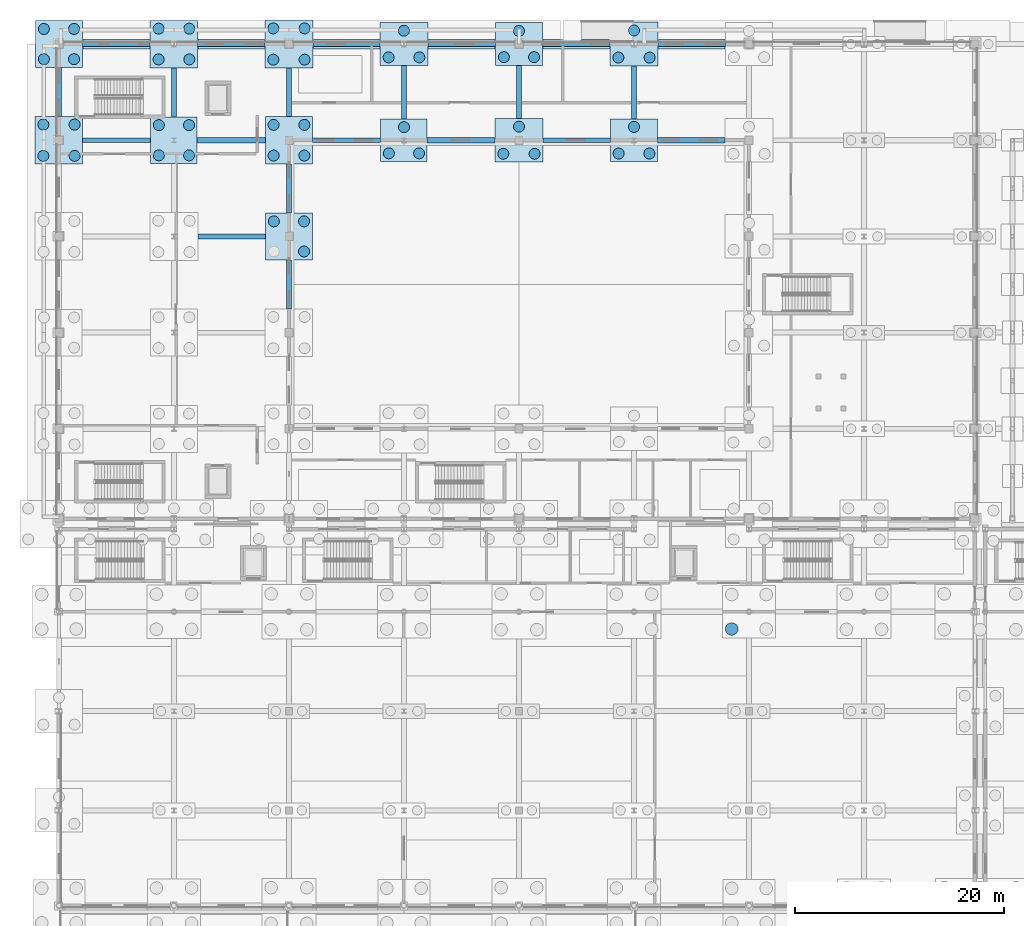
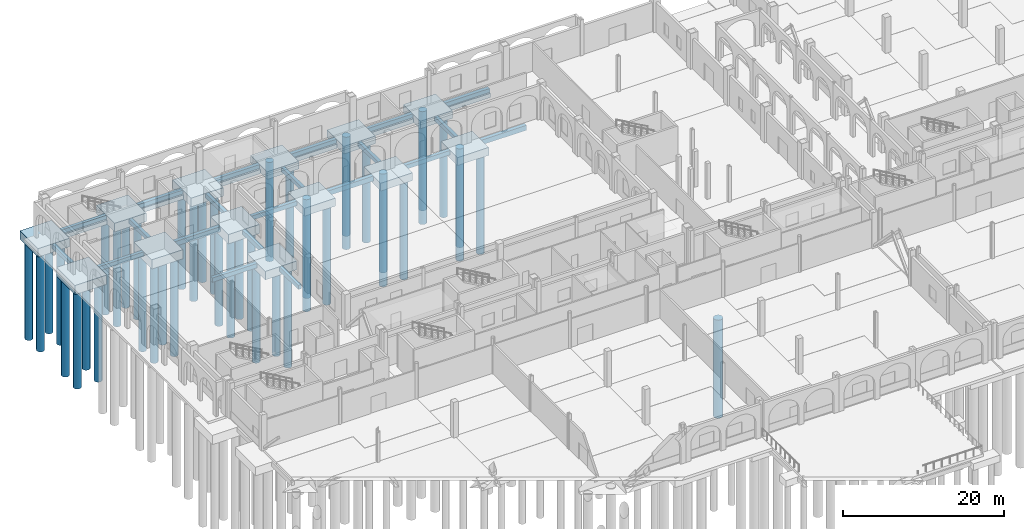
# One storey, part 6 of 83: 46 piles, 40 footings.
"""IFC4 building model written with IfcOpenShell, lengths in metres."""

from ifc_helpers import new_model, si_unit, direction, frame, origin, origin_2d, place, context, subcontext, project, spatial, polyline, circle, outline, extrude, material, material_profile, profile_set, type_object, element, save


model = new_model("IFC4")

# Units and contexts
model_context = context("Model", 3, precision=1e-05, world=origin(), true_north=direction((0.0, 1.0)))
body_context = subcontext(model_context, "Body", "Model", "MODEL_VIEW")
ifc_project = project(units=[si_unit("LENGTHUNIT", "METRE"), si_unit("AREAUNIT", "SQUARE_METRE"), si_unit("VOLUMEUNIT", "CUBIC_METRE"), si_unit("PLANEANGLEUNIT", "RADIAN"), si_unit("MASSUNIT", "GRAM", prefix="KILO")], contexts=[model_context])

# Site, building, storey
site_placement = place(None, origin())
site = spatial("IfcSite", under=ifc_project, at=site_placement, CompositionType="ELEMENT")
building_placement = place(site_placement, origin())
building = spatial("IfcBuilding", under=site, at=building_placement, Name="Caurita Quay Ferry Terminal", CompositionType="ELEMENT")
storey_placement = place(building_placement, origin())
storey = spatial("IfcBuildingStorey", under=building, at=storey_placement, Name="L00", CompositionType="ELEMENT", Elevation=0.0)

# Footings
ifc_material = material(Name="Marine reinforced concrete C40/50", Category="concrete")
footing_type_1 = type_object("IfcFootingType", Name="FTG-BM-01", PredefinedType="FOOTING_BEAM", material=ifc_material)
footing_1_placement = place(storey_placement, frame((0.0, 0.0, -1.14990234375)))
element("IfcFooting", 1, at=footing_1_placement, inside=storey, type_object=footing_type_1, Name="Seismic Tie Footing Beam FB-X-153", PredefinedType="FOOTING_BEAM", context=body_context, shape_type="SweptSolid", body=[
    extrude(outline(polyline([(13.22509765625, 107.550048828125), (19.75, 107.550048828125), (19.75, 108.050048828125), (13.22509765625, 108.050048828125), (13.22509765625, 107.550048828125)])), origin(), (0.0, 0.0, 1.0), 0.75),
])
footing_2_placement = place(storey_placement, frame((0.0, 0.0, -1.14990234375)))
element("IfcFooting", 2, at=footing_2_placement, inside=storey, type_object=footing_type_1, Name="Seismic Tie Footing Beam FB-X-155", PredefinedType="FOOTING_BEAM", context=body_context, shape_type="SweptSolid", body=[
    extrude(outline(polyline([(35.22509765625, 107.550048828125), (41.72509765625, 107.550048828125), (41.72509765625, 108.050048828125), (35.22509765625, 108.050048828125), (35.22509765625, 107.550048828125)])), origin(), (0.0, 0.0, 1.0), 0.75),
])
footing_3_placement = place(storey_placement, frame((0.0, 0.0, -1.14990234375)))
element("IfcFooting", 3, at=footing_3_placement, inside=storey, type_object=footing_type_1, Name="Seismic Tie Footing Beam FB-X-157", PredefinedType="FOOTING_BEAM", context=body_context, shape_type="SweptSolid", body=[
    extrude(outline(polyline([(57.25, 107.550048828125), (63.72509765625, 107.550048828125), (63.72509765625, 108.050048828125), (57.25, 108.050048828125), (57.25, 107.550048828125)])), origin(), (0.0, 0.0, 1.0), 0.75),
])
footing_4_placement = place(storey_placement, frame((0.0, 0.0, -1.14990234375)))
element("IfcFooting", 4, at=footing_4_placement, inside=storey, type_object=footing_type_1, Name="Seismic Tie Footing Beam FB-X-169", PredefinedType="FOOTING_BEAM", context=body_context, shape_type="SweptSolid", body=[
    extrude(outline(polyline([(13.27490234375, 116.75), (19.699951171875, 116.75), (19.699951171875, 117.25), (13.27490234375, 117.25), (13.27490234375, 116.75)])), origin(), (0.0, 0.0, 1.0), 0.75),
])
footing_5_placement = place(storey_placement, frame((0.0, 0.0, -1.14990234375)))
element("IfcFooting", 5, at=footing_5_placement, inside=storey, type_object=footing_type_1, Name="Seismic Tie Footing Beam FB-X-171", PredefinedType="FOOTING_BEAM", context=body_context, shape_type="SweptSolid", body=[
    extrude(outline(polyline([(35.27490234375, 116.75), (41.75, 116.75), (41.75, 117.25), (35.27490234375, 117.25), (35.27490234375, 116.75)])), origin(), (0.0, 0.0, 1.0), 0.75),
])
footing_6_placement = place(storey_placement, frame((0.0, 0.0, -1.14990234375)))
element("IfcFooting", 6, at=footing_6_placement, inside=storey, type_object=footing_type_1, Name="Seismic Tie Footing Beam FB-X-173", PredefinedType="FOOTING_BEAM", context=body_context, shape_type="SweptSolid", body=[
    extrude(outline(polyline([(57.300048828125, 116.75), (63.75, 116.75), (63.75, 117.25), (57.300048828125, 117.25), (57.300048828125, 116.75)])), origin(), (0.0, 0.0, 1.0), 0.75),
])
footing_type_2 = type_object("IfcFootingType", Name="FTG-BM-02", PredefinedType="FOOTING_BEAM", material=ifc_material)
footing_7_placement = place(storey_placement, frame((0.0, 0.0, -1.050048828125)))
element("IfcFooting", 7, at=footing_7_placement, inside=storey, type_object=footing_type_2, Name="Seismic Tie Footing Beam FB-X-140", PredefinedType="FOOTING_BEAM", context=body_context, shape_type="SweptSolid", body=[
    extrude(outline(polyline([(13.300048828125, 98.375), (19.75, 98.375), (19.75, 98.824951171875), (13.300048828125, 98.824951171875), (13.300048828125, 98.375)])), origin(), (0.0, 0.0, 1.0), 0.650146484375),
])
footing_8_placement = place(storey_placement, frame((0.0, 0.0, -1.050048828125)))
element("IfcFooting", 8, at=footing_8_placement, inside=storey, type_object=footing_type_2, Name="Seismic Tie Footing Beam FB-X-152", PredefinedType="FOOTING_BEAM", context=body_context, shape_type="SweptSolid", body=[
    extrude(outline(polyline([(2.27490234375, 107.574951171875), (8.77490234375, 107.574951171875), (8.77490234375, 108.02490234375), (2.27490234375, 108.02490234375), (2.27490234375, 107.574951171875)])), origin(), (0.0, 0.0, 1.0), 0.650146484375),
])
footing_9_placement = place(storey_placement, frame((0.0, 0.0, -1.050048828125)))
element("IfcFooting", 9, at=footing_9_placement, inside=storey, type_object=footing_type_2, Name="Seismic Tie Footing Beam FB-X-154", PredefinedType="FOOTING_BEAM", context=body_context, shape_type="SweptSolid", body=[
    extrude(outline(polyline([(24.25, 107.574951171875), (30.77490234375, 107.574951171875), (30.77490234375, 108.02490234375), (24.25, 108.02490234375), (24.25, 107.574951171875)])), origin(), (0.0, 0.0, 1.0), 0.650146484375),
])
footing_10_placement = place(storey_placement, frame((0.0, 0.0, -1.050048828125)))
element("IfcFooting", 10, at=footing_10_placement, inside=storey, type_object=footing_type_2, Name="Seismic Tie Footing Beam FB-X-156", PredefinedType="FOOTING_BEAM", context=body_context, shape_type="SweptSolid", body=[
    extrude(outline(polyline([(46.27490234375, 107.574951171875), (52.75, 107.574951171875), (52.75, 108.02490234375), (46.27490234375, 108.02490234375), (46.27490234375, 107.574951171875)])), origin(), (0.0, 0.0, 1.0), 0.650146484375),
])
footing_11_placement = place(storey_placement, frame((0.0, 0.0, -1.050048828125)))
element("IfcFooting", 11, at=footing_11_placement, inside=storey, type_object=footing_type_2, Name="Seismic Tie Footing Beam FB-X-168", PredefinedType="FOOTING_BEAM", context=body_context, shape_type="SweptSolid", body=[
    extrude(outline(polyline([(2.25, 116.77490234375), (8.72509765625, 116.77490234375), (8.72509765625, 117.22509765625), (2.25, 117.22509765625), (2.25, 116.77490234375)])), origin(), (0.0, 0.0, 1.0), 0.650146484375),
])
footing_12_placement = place(storey_placement, frame((0.0, 0.0, -1.050048828125)))
element("IfcFooting", 12, at=footing_12_placement, inside=storey, type_object=footing_type_2, Name="Seismic Tie Footing Beam FB-X-170", PredefinedType="FOOTING_BEAM", context=body_context, shape_type="SweptSolid", body=[
    extrude(outline(polyline([(24.300048828125, 116.77490234375), (30.72509765625, 116.77490234375), (30.72509765625, 117.22509765625), (24.300048828125, 117.22509765625), (24.300048828125, 116.77490234375)])), origin(), (0.0, 0.0, 1.0), 0.650146484375),
])
footing_13_placement = place(storey_placement, frame((0.0, 0.0, -1.050048828125)))
element("IfcFooting", 13, at=footing_13_placement, inside=storey, type_object=footing_type_2, Name="Seismic Tie Footing Beam FB-X-172", PredefinedType="FOOTING_BEAM", context=body_context, shape_type="SweptSolid", body=[
    extrude(outline(polyline([(46.25, 116.77490234375), (52.699951171875, 116.77490234375), (52.699951171875, 117.22509765625), (46.25, 117.22509765625), (46.25, 116.77490234375)])), origin(), (0.0, 0.0, 1.0), 0.650146484375),
])
footing_14_placement = place(storey_placement, frame((0.0, 0.0, -1.050048828125)))
element("IfcFooting", 14, at=footing_14_placement, inside=storey, type_object=footing_type_2, Name="Seismic Tie Footing Beam FB-Y-195", PredefinedType="FOOTING_BEAM", context=body_context, shape_type="SweptSolid", body=[
    extrude(outline(polyline([(-0.22509765625, 110.074951171875), (0.22509765625, 110.074951171875), (0.22509765625, 114.75), (-0.22509765625, 114.75), (-0.22509765625, 110.074951171875)])), origin(), (0.0, 0.0, 1.0), 0.650146484375),
])
footing_15_placement = place(storey_placement, frame((0.0, 0.0, -1.050048828125)))
element("IfcFooting", 15, at=footing_15_placement, inside=storey, type_object=footing_type_2, Name="Seismic Tie Footing Beam FB-Y-207", PredefinedType="FOOTING_BEAM", context=body_context, shape_type="SweptSolid", body=[
    extrude(outline(polyline([(10.77490234375, 110.02490234375), (11.22509765625, 110.02490234375), (11.22509765625, 114.72509765625), (10.77490234375, 114.72509765625), (10.77490234375, 110.02490234375)])), origin(), (0.0, 0.0, 1.0), 0.650146484375),
])
footing_16_placement = place(storey_placement, frame((0.0, 0.0, -1.050048828125)))
element("IfcFooting", 16, at=footing_16_placement, inside=storey, type_object=footing_type_2, Name="Seismic Tie Footing Beam FB-Y-217", PredefinedType="FOOTING_BEAM", context=body_context, shape_type="SweptSolid", body=[
    extrude(outline(polyline([(21.77490234375, 91.675048828125), (22.22509765625, 91.675048828125), (22.22509765625, 96.35009765625), (21.77490234375, 96.35009765625), (21.77490234375, 91.675048828125)])), origin(), (0.0, 0.0, 1.0), 0.650146484375),
])
footing_17_placement = place(storey_placement, frame((0.0, 0.0, -1.050048828125)))
element("IfcFooting", 17, at=footing_17_placement, inside=storey, type_object=footing_type_2, Name="Seismic Tie Footing Beam FB-Y-218", PredefinedType="FOOTING_BEAM", context=body_context, shape_type="SweptSolid", body=[
    extrude(outline(polyline([(21.77490234375, 100.85009765625), (22.22509765625, 100.85009765625), (22.22509765625, 105.550048828125), (21.77490234375, 105.550048828125), (21.77490234375, 100.85009765625)])), origin(), (0.0, 0.0, 1.0), 0.650146484375),
])
footing_18_placement = place(storey_placement, frame((0.0, 0.0, -1.050048828125)))
element("IfcFooting", 18, at=footing_18_placement, inside=storey, type_object=footing_type_2, Name="Seismic Tie Footing Beam FB-Y-219", PredefinedType="FOOTING_BEAM", context=body_context, shape_type="SweptSolid", body=[
    extrude(outline(polyline([(21.77490234375, 110.050048828125), (22.22509765625, 110.050048828125), (22.22509765625, 114.699951171875), (21.77490234375, 114.699951171875), (21.77490234375, 110.050048828125)])), origin(), (0.0, 0.0, 1.0), 0.650146484375),
])
footing_19_placement = place(storey_placement, frame((0.0, 0.0, -1.050048828125)))
element("IfcFooting", 19, at=footing_19_placement, inside=storey, type_object=footing_type_2, Name="Seismic Tie Footing Beam FB-Y-225", PredefinedType="FOOTING_BEAM", context=body_context, shape_type="SweptSolid", body=[
    extrude(outline(polyline([(32.77490234375, 109.85009765625), (33.22509765625, 109.85009765625), (33.22509765625, 114.925048828125), (32.77490234375, 114.925048828125), (32.77490234375, 109.85009765625)])), origin(), (0.0, 0.0, 1.0), 0.650146484375),
])
footing_20_placement = place(storey_placement, frame((0.0, 0.0, -1.050048828125)))
element("IfcFooting", 20, at=footing_20_placement, inside=storey, type_object=footing_type_2, Name="Seismic Tie Footing Beam FB-Y-231", PredefinedType="FOOTING_BEAM", context=body_context, shape_type="SweptSolid", body=[
    extrude(outline(polyline([(43.77490234375, 109.875), (44.22509765625, 109.875), (44.22509765625, 114.925048828125), (43.77490234375, 114.925048828125), (43.77490234375, 109.875)])), origin(), (0.0, 0.0, 1.0), 0.650146484375),
])
footing_21_placement = place(storey_placement, frame((0.0, 0.0, -1.050048828125)))
element("IfcFooting", 21, at=footing_21_placement, inside=storey, type_object=footing_type_2, Name="Seismic Tie Footing Beam FB-Y-239", PredefinedType="FOOTING_BEAM", context=body_context, shape_type="SweptSolid", body=[
    extrude(outline(polyline([(54.77490234375, 109.85009765625), (55.22509765625, 109.85009765625), (55.22509765625, 114.89990234375), (54.77490234375, 114.89990234375), (54.77490234375, 109.85009765625)])), origin(), (0.0, 0.0, 1.0), 0.650146484375),
])
footing_type_3 = type_object("IfcFootingType", Name="FTG-PC-02", PredefinedType="PILE_CAP", material=ifc_material)
footing_22_placement = place(storey_placement, frame((0.0, 0.0, -1.550048828125)))
element("IfcFooting", 22, at=footing_22_placement, inside=storey, type_object=footing_type_3, Name="Pile Cap PC-038", PredefinedType="PILE_CAP", context=body_context, shape_type="SweptSolid", body=[
    extrude(outline(polyline([(30.72509765625, 114.925048828125), (35.27490234375, 114.925048828125), (35.27490234375, 119.074951171875), (30.72509765625, 119.074951171875), (30.72509765625, 114.925048828125)])), origin(), (0.0, 0.0, 1.0), 1.150146484375),
])
footing_type_4 = type_object("IfcFootingType", Name="FTG-PC-03", PredefinedType="PILE_CAP", material=ifc_material)
footing_23_placement = place(storey_placement, frame((0.0, 0.0, -1.60009765625)))
element("IfcFooting", 23, at=footing_23_placement, inside=storey, type_object=footing_type_4, Name="Pile Cap PC-045", PredefinedType="PILE_CAP", context=body_context, shape_type="SweptSolid", body=[
    extrude(outline(polyline([(41.72509765625, 105.72509765625), (46.27490234375, 105.72509765625), (46.27490234375, 109.875), (41.72509765625, 109.875), (41.72509765625, 105.72509765625)])), origin(), (0.0, 0.0, 1.0), 1.2001953125),
])
footing_type_5 = type_object("IfcFootingType", Name="FTG-PC-06", PredefinedType="PILE_CAP", material=ifc_material)
footing_24_placement = place(storey_placement, frame((0.0, 0.0, -1.699951171875)))
element("IfcFooting", 24, at=footing_24_placement, inside=storey, type_object=footing_type_5, Name="Pile Cap PC-030", PredefinedType="PILE_CAP", context=body_context, shape_type="SweptSolid", body=[
    extrude(outline(polyline([(19.699951171875, 114.699951171875), (24.300048828125, 114.699951171875), (24.300048828125, 119.300048828125), (19.699951171875, 119.300048828125), (19.699951171875, 114.699951171875)])), origin(), (0.0, 0.0, 1.0), 1.300048828125),
])
footing_type_6 = type_object("IfcFootingType", Name="FTG-PC-07", PredefinedType="PILE_CAP", material=ifc_material)
footing_25_placement = place(storey_placement, frame((0.0, 0.0, -1.800048828125)))
element("IfcFooting", 25, at=footing_25_placement, inside=storey, type_object=footing_type_6, Name="Pile Cap PC-019", PredefinedType="PILE_CAP", context=body_context, shape_type="SweptSolid", body=[
    extrude(outline(polyline([(8.77490234375, 105.574951171875), (13.22509765625, 105.574951171875), (13.22509765625, 110.02490234375), (8.77490234375, 110.02490234375), (8.77490234375, 105.574951171875)])), origin(), (0.0, 0.0, 1.0), 1.400146484375),
])
footing_type_7 = type_object("IfcFootingType", Name="FTG-PC-08", PredefinedType="PILE_CAP", material=ifc_material)
footing_26_placement = place(storey_placement, frame((0.0, 0.0, -1.699951171875)))
element("IfcFooting", 26, at=footing_26_placement, inside=storey, type_object=footing_type_7, Name="Pile Cap PC-020", PredefinedType="PILE_CAP", context=body_context, shape_type="SweptSolid", body=[
    extrude(outline(polyline([(8.72509765625, 114.72509765625), (13.27490234375, 114.72509765625), (13.27490234375, 119.27490234375), (8.72509765625, 119.27490234375), (8.72509765625, 114.72509765625)])), origin(), (0.0, 0.0, 1.0), 1.300048828125),
])
footing_type_8 = type_object("IfcFootingType", Name="FTG-PC-09", PredefinedType="PILE_CAP", material=ifc_material)
footing_27_placement = place(storey_placement, frame((0.0, 0.0, -1.800048828125)))
element("IfcFooting", 27, at=footing_27_placement, inside=storey, type_object=footing_type_8, Name="Pile Cap PC-009", PredefinedType="PILE_CAP", context=body_context, shape_type="SweptSolid", body=[
    extrude(outline(polyline([(-2.27490234375, 105.52490234375), (2.27490234375, 105.52490234375), (2.27490234375, 110.074951171875), (-2.27490234375, 110.074951171875), (-2.27490234375, 105.52490234375)])), origin(), (0.0, 0.0, 1.0), 1.400146484375),
])
footing_type_9 = type_object("IfcFootingType", Name="FTG-PC-10", PredefinedType="PILE_CAP", material=ifc_material)
footing_28_placement = place(storey_placement, frame((0.0, 0.0, -1.699951171875)))
element("IfcFooting", 28, at=footing_28_placement, inside=storey, type_object=footing_type_9, Name="Pile Cap PC-010", PredefinedType="PILE_CAP", context=body_context, shape_type="SweptSolid", body=[
    extrude(outline(polyline([(-2.25, 114.75), (2.25, 114.75), (2.25, 119.25), (-2.25, 119.25), (-2.25, 114.75)])), origin(), (0.0, 0.0, 1.0), 1.300048828125),
])
footing_29_placement = place(storey_placement, frame((0.0, 0.0, -1.699951171875)))
element("IfcFooting", 29, at=footing_29_placement, inside=storey, type_object=footing_type_9, Name="Pile Cap PC-028", PredefinedType="PILE_CAP", context=body_context, shape_type="SweptSolid", body=[
    extrude(outline(polyline([(19.75, 96.35009765625), (24.25, 96.35009765625), (24.25, 100.85009765625), (19.75, 100.85009765625), (19.75, 96.35009765625)])), origin(), (0.0, 0.0, 1.0), 1.300048828125),
])
footing_type_10 = type_object("IfcFootingType", Name="FTG-PC-16", PredefinedType="PILE_CAP", material=ifc_material)
footing_30_placement = place(storey_placement, frame((0.0, 0.0, -1.800048828125)))
element("IfcFooting", 30, at=footing_30_placement, inside=storey, type_object=footing_type_10, Name="Pile Cap PC-029", PredefinedType="PILE_CAP", context=body_context, shape_type="SweptSolid", body=[
    extrude(outline(polyline([(19.75, 105.550048828125), (24.25, 105.550048828125), (24.25, 110.050048828125), (19.75, 110.050048828125), (19.75, 105.550048828125)])), origin(), (0.0, 0.0, 1.0), 1.400146484375),
])
footing_type_11 = type_object("IfcFootingType", Name="FTG-PC-24", PredefinedType="PILE_CAP", material=ifc_material)
footing_31_placement = place(storey_placement, frame((0.0, 0.0, -1.60009765625)))
element("IfcFooting", 31, at=footing_31_placement, inside=storey, type_object=footing_type_11, Name="Pile Cap PC-037", PredefinedType="PILE_CAP", context=body_context, shape_type="SweptSolid", body=[
    extrude(outline(polyline([(30.77490234375, 105.75), (35.22509765625, 105.75), (35.22509765625, 109.85009765625), (30.77490234375, 109.85009765625), (30.77490234375, 105.75)])), origin(), (0.0, 0.0, 1.0), 1.2001953125),
])
footing_type_12 = type_object("IfcFootingType", Name="FTG-PC-25", PredefinedType="PILE_CAP", material=ifc_material)
footing_32_placement = place(storey_placement, frame((0.0, 0.0, -1.550048828125)))
element("IfcFooting", 32, at=footing_32_placement, inside=storey, type_object=footing_type_12, Name="Pile Cap PC-046", PredefinedType="PILE_CAP", context=body_context, shape_type="SweptSolid", body=[
    extrude(outline(polyline([(41.75, 114.925048828125), (46.25, 114.925048828125), (46.25, 119.074951171875), (41.75, 119.074951171875), (41.75, 114.925048828125)])), origin(), (0.0, 0.0, 1.0), 1.150146484375),
])
footing_type_13 = type_object("IfcFootingType", Name="FTG-PC-26", PredefinedType="PILE_CAP", material=ifc_material)
footing_33_placement = place(storey_placement, frame((0.0, 0.0, -1.60009765625)))
element("IfcFooting", 33, at=footing_33_placement, inside=storey, type_object=footing_type_13, Name="Pile Cap PC-053", PredefinedType="PILE_CAP", context=body_context, shape_type="SweptSolid", body=[
    extrude(outline(polyline([(52.75, 105.75), (57.25, 105.75), (57.25, 109.85009765625), (52.75, 109.85009765625), (52.75, 105.75)])), origin(), (0.0, 0.0, 1.0), 1.2001953125),
])
footing_type_14 = type_object("IfcFootingType", Name="FTG-PC-27", PredefinedType="PILE_CAP", material=ifc_material)
footing_34_placement = place(storey_placement, frame((0.0, 0.0, -1.550048828125)))
element("IfcFooting", 34, at=footing_34_placement, inside=storey, type_object=footing_type_14, Name="Pile Cap PC-054", PredefinedType="PILE_CAP", context=body_context, shape_type="SweptSolid", body=[
    extrude(outline(polyline([(52.699951171875, 114.89990234375), (57.300048828125, 114.89990234375), (57.300048828125, 119.10009765625), (52.699951171875, 119.10009765625), (52.699951171875, 114.89990234375)])), origin(), (0.0, 0.0, 1.0), 1.150146484375),
])
footing_type_15 = type_object("IfcFootingType", Name="FTG-STR-01", PredefinedType="STRIP_FOOTING", material=ifc_material)
footing_35_placement = place(storey_placement, frame((0.0, 0.0, -1.64990234375)))
element("IfcFooting", 35, at=footing_35_placement, inside=storey, type_object=footing_type_15, Name="Marine Seawall Strip Footing SF-11", PredefinedType="STRIP_FOOTING", context=body_context, shape_type="SweptSolid", body=[
    extrude(outline(polyline([(2.2900390625, 116.550048828125), (8.68505859375, 116.550048828125), (8.68505859375, 117.449951171875), (2.2900390625, 117.449951171875), (2.2900390625, 116.550048828125)])), origin(), (0.0, 0.0, 1.0), 0.64990234375),
])
footing_36_placement = place(storey_placement, frame((0.0, 0.0, -1.64990234375)))
element("IfcFooting", 36, at=footing_36_placement, inside=storey, type_object=footing_type_15, Name="Marine Seawall Strip Footing SF-12", PredefinedType="STRIP_FOOTING", context=body_context, shape_type="SweptSolid", body=[
    extrude(outline(polyline([(13.31494140625, 116.550048828125), (19.659912109375, 116.550048828125), (19.659912109375, 117.449951171875), (13.31494140625, 117.449951171875), (13.31494140625, 116.550048828125)])), origin(), (0.0, 0.0, 1.0), 0.64990234375),
])
footing_37_placement = place(storey_placement, frame((0.0, 0.0, -1.64990234375)))
element("IfcFooting", 37, at=footing_37_placement, inside=storey, type_object=footing_type_15, Name="Marine Seawall Strip Footing SF-13", PredefinedType="STRIP_FOOTING", context=body_context, shape_type="SweptSolid", body=[
    extrude(outline(polyline([(24.340087890625, 116.550048828125), (30.68505859375, 116.550048828125), (30.68505859375, 117.449951171875), (24.340087890625, 117.449951171875), (24.340087890625, 116.550048828125)])), origin(), (0.0, 0.0, 1.0), 0.64990234375),
])
footing_38_placement = place(storey_placement, frame((0.0, 0.0, -1.64990234375)))
element("IfcFooting", 38, at=footing_38_placement, inside=storey, type_object=footing_type_15, Name="Marine Seawall Strip Footing SF-14", PredefinedType="STRIP_FOOTING", context=body_context, shape_type="SweptSolid", body=[
    extrude(outline(polyline([(35.31494140625, 116.550048828125), (41.7099609375, 116.550048828125), (41.7099609375, 117.449951171875), (35.31494140625, 117.449951171875), (35.31494140625, 116.550048828125)])), origin(), (0.0, 0.0, 1.0), 0.64990234375),
])
footing_39_placement = place(storey_placement, frame((0.0, 0.0, -1.64990234375)))
element("IfcFooting", 39, at=footing_39_placement, inside=storey, type_object=footing_type_15, Name="Marine Seawall Strip Footing SF-15", PredefinedType="STRIP_FOOTING", context=body_context, shape_type="SweptSolid", body=[
    extrude(outline(polyline([(46.2900390625, 116.550048828125), (52.659912109375, 116.550048828125), (52.659912109375, 117.449951171875), (46.2900390625, 117.449951171875), (46.2900390625, 116.550048828125)])), origin(), (0.0, 0.0, 1.0), 0.64990234375),
])
footing_40_placement = place(storey_placement, frame((0.0, 0.0, -1.64990234375)))
element("IfcFooting", 40, at=footing_40_placement, inside=storey, type_object=footing_type_15, Name="Marine Seawall Strip Footing SF-16", PredefinedType="STRIP_FOOTING", context=body_context, shape_type="SweptSolid", body=[
    extrude(outline(polyline([(57.340087890625, 116.550048828125), (63.7099609375, 116.550048828125), (63.7099609375, 117.449951171875), (57.340087890625, 117.449951171875), (57.340087890625, 116.550048828125)])), origin(), (0.0, 0.0, 1.0), 0.64990234375),
])

# Piles
ifc_material_profile_1 = material_profile(ifc_material, circle(Radius=0.52490234375, at=origin_2d()), Name="PILE-D1050")
ifc_profile_set_1 = profile_set([ifc_material_profile_1], Name="Marine reinforced concrete C40/50")
pile_type_1 = type_object("IfcPileType", Name="TYPE-PL-1050", PredefinedType="BORED", material=ifc_profile_set_1)
for number, where, z_axis, x_axis, name in (
    (41, (-1.49609375, 106.302978515625, -1.699951171875), (0.0, 0.0, -1.0), (1.0, 0.0, 0.0), "Bored Marine Pile PC-009-P1"),
    (42, (1.49609375, 106.302978515625, -1.699951171875), (0.0, 0.0, -1.0), (1.0, 0.0, 0.0), "Bored Marine Pile PC-009-P2"),
    (43, (-1.49609375, 109.2958984375, -1.699951171875), (0.0, 0.0, -1.0), (1.0, 0.0, 0.0), "Bored Marine Pile PC-009-P3"),
    (44, (1.49609375, 109.2958984375, -1.699951171875), (0.0, 0.0, -1.0), (1.0, 0.0, 0.0), "Bored Marine Pile PC-009-P4"),
):
    element("IfcPile", number, at=place(storey_placement, frame(where, z_axis=z_axis, x_axis=x_axis)), inside=storey, type_object=pile_type_1, Name=name, PredefinedType="BORED", context=body_context, shape_type="SweptSolid", body=[
        extrude(circle(Radius=0.52490234375, at=origin_2d()), origin(), (0.0, 0.0, 1.0), 14.800048828125),
    ])
for number, where, z_axis, x_axis, name in (
    (45, (-1.444091796875, 115.555908203125, -1.60009765625), (0.0, 0.0, -1.0), (1.0, 0.0, 0.0), "Bored Marine Pile PC-010-P1"),
    (46, (1.444091796875, 115.555908203125, -1.60009765625), (0.0, 0.0, -1.0), (1.0, 0.0, 0.0), "Bored Marine Pile PC-010-P2"),
    (47, (-1.444091796875, 118.444091796875, -1.60009765625), (0.0, 0.0, -1.0), (1.0, 0.0, 0.0), "Bored Marine Pile PC-010-P3"),
    (48, (1.444091796875, 118.444091796875, -1.60009765625), (0.0, 0.0, -1.0), (1.0, 0.0, 0.0), "Bored Marine Pile PC-010-P4"),
):
    element("IfcPile", number, at=place(storey_placement, frame(where, z_axis=z_axis, x_axis=x_axis)), inside=storey, type_object=pile_type_1, Name=name, PredefinedType="BORED", context=body_context, shape_type="SweptSolid", body=[
        extrude(circle(Radius=0.52490234375, at=origin_2d()), origin(), (0.0, 0.0, 1.0), 14.89990234375),
    ])
for number, where, z_axis, x_axis, name in (
    (49, (9.555908203125, 106.35595703125, -1.699951171875), (0.0, 0.0, -1.0), (1.0, 0.0, 0.0), "Bored Marine Pile PC-019-P1"),
    (50, (12.444091796875, 106.35595703125, -1.699951171875), (0.0, 0.0, -1.0), (1.0, 0.0, 0.0), "Bored Marine Pile PC-019-P2"),
    (51, (9.555908203125, 109.243896484375, -1.699951171875), (0.0, 0.0, -1.0), (1.0, 0.0, 0.0), "Bored Marine Pile PC-019-P3"),
    (52, (12.444091796875, 109.243896484375, -1.699951171875), (0.0, 0.0, -1.0), (1.0, 0.0, 0.0), "Bored Marine Pile PC-019-P4"),
):
    element("IfcPile", number, at=place(storey_placement, frame(where, z_axis=z_axis, x_axis=x_axis)), inside=storey, type_object=pile_type_1, Name=name, PredefinedType="BORED", context=body_context, shape_type="SweptSolid", body=[
        extrude(circle(Radius=0.52490234375, at=origin_2d()), origin(), (0.0, 0.0, 1.0), 14.800048828125),
    ])
for number, where, z_axis, x_axis, name in (
    (53, (9.530029296875, 115.530029296875, -1.60009765625), (0.0, 0.0, -1.0), (1.0, 0.0, 0.0), "Bored Marine Pile PC-020-P1"),
    (54, (12.469970703125, 115.530029296875, -1.60009765625), (0.0, 0.0, -1.0), (1.0, 0.0, 0.0), "Bored Marine Pile PC-020-P2"),
    (55, (9.530029296875, 118.469970703125, -1.60009765625), (0.0, 0.0, -1.0), (1.0, 0.0, 0.0), "Bored Marine Pile PC-020-P3"),
    (56, (12.469970703125, 118.469970703125, -1.60009765625), (0.0, 0.0, -1.0), (1.0, 0.0, 0.0), "Bored Marine Pile PC-020-P4"),
    (57, (23.444091796875, 97.156005859375, -1.60009765625), (0.0, 0.0, -1.0), (1.0, 0.0, 0.0), "Bored Marine Pile PC-028-P2"),
    (58, (20.555908203125, 100.0439453125, -1.60009765625), (0.0, 0.0, -1.0), (1.0, 0.0, 0.0), "Bored Marine Pile PC-028-P3"),
    (59, (23.444091796875, 100.0439453125, -1.60009765625), (0.0, 0.0, -1.0), (1.0, 0.0, 0.0), "Bored Marine Pile PC-028-P4"),
):
    element("IfcPile", number, at=place(storey_placement, frame(where, z_axis=z_axis, x_axis=x_axis)), inside=storey, type_object=pile_type_1, Name=name, PredefinedType="BORED", context=body_context, shape_type="SweptSolid", body=[
        extrude(circle(Radius=0.52490234375, at=origin_2d()), origin(), (0.0, 0.0, 1.0), 14.89990234375),
    ])
for number, where, z_axis, x_axis, name in (
    (60, (20.530029296875, 106.330078125, -1.699951171875), (0.0, 0.0, -1.0), (1.0, 0.0, 0.0), "Bored Marine Pile PC-029-P1"),
    (61, (23.469970703125, 106.330078125, -1.699951171875), (0.0, 0.0, -1.0), (1.0, 0.0, 0.0), "Bored Marine Pile PC-029-P2"),
    (62, (20.530029296875, 109.27001953125, -1.699951171875), (0.0, 0.0, -1.0), (1.0, 0.0, 0.0), "Bored Marine Pile PC-029-P3"),
    (63, (23.469970703125, 109.27001953125, -1.699951171875), (0.0, 0.0, -1.0), (1.0, 0.0, 0.0), "Bored Marine Pile PC-029-P4"),
):
    element("IfcPile", number, at=place(storey_placement, frame(where, z_axis=z_axis, x_axis=x_axis)), inside=storey, type_object=pile_type_1, Name=name, PredefinedType="BORED", context=body_context, shape_type="SweptSolid", body=[
        extrude(circle(Radius=0.52490234375, at=origin_2d()), origin(), (0.0, 0.0, 1.0), 14.800048828125),
    ])
for number, where, z_axis, x_axis, name in (
    (64, (20.5029296875, 115.50390625, -1.60009765625), (0.0, 0.0, -1.0), (1.0, 0.0, 0.0), "Bored Marine Pile PC-030-P1"),
    (65, (23.4970703125, 115.50390625, -1.60009765625), (0.0, 0.0, -1.0), (1.0, 0.0, 0.0), "Bored Marine Pile PC-030-P2"),
    (66, (20.5029296875, 118.49609375, -1.60009765625), (0.0, 0.0, -1.0), (1.0, 0.0, 0.0), "Bored Marine Pile PC-030-P3"),
    (67, (23.4970703125, 118.49609375, -1.60009765625), (0.0, 0.0, -1.0), (1.0, 0.0, 0.0), "Bored Marine Pile PC-030-P4"),
):
    element("IfcPile", number, at=place(storey_placement, frame(where, z_axis=z_axis, x_axis=x_axis)), inside=storey, type_object=pile_type_1, Name=name, PredefinedType="BORED", context=body_context, shape_type="SweptSolid", body=[
        extrude(circle(Radius=0.52490234375, at=origin_2d()), origin(), (0.0, 0.0, 1.0), 14.89990234375),
    ])
for number, where, z_axis, x_axis, name in (
    (68, (31.555908203125, 106.549072265625, -1.5), (0.0, 0.0, -1.0), (1.0, 0.0, 0.0), "Bored Marine Pile PC-037-P1"),
    (69, (34.444091796875, 106.549072265625, -1.5), (0.0, 0.0, -1.0), (1.0, 0.0, 0.0), "Bored Marine Pile PC-037-P2"),
    (70, (33.0, 109.051025390625, -1.5), (0.0, 0.0, -1.0), (1.0, 0.0, 0.0), "Bored Marine Pile PC-037-P3"),
):
    element("IfcPile", number, at=place(storey_placement, frame(where, z_axis=z_axis, x_axis=x_axis)), inside=storey, type_object=pile_type_1, Name=name, PredefinedType="BORED", context=body_context, shape_type="SweptSolid", body=[
        extrude(circle(Radius=0.52490234375, at=origin_2d()), origin(), (0.0, 0.0, 1.0), 15.0),
    ])
for number, where, z_axis, x_axis, name in (
    (71, (31.530029296875, 115.72705078125, -1.449951171875), (0.0, 0.0, -1.0), (1.0, 0.0, 0.0), "Bored Marine Pile PC-038-P1"),
    (72, (34.469970703125, 115.72705078125, -1.449951171875), (0.0, 0.0, -1.0), (1.0, 0.0, 0.0), "Bored Marine Pile PC-038-P2"),
    (73, (33.0, 118.27294921875, -1.449951171875), (0.0, 0.0, -1.0), (1.0, 0.0, 0.0), "Bored Marine Pile PC-038-P3"),
):
    element("IfcPile", number, at=place(storey_placement, frame(where, z_axis=z_axis, x_axis=x_axis)), inside=storey, type_object=pile_type_1, Name=name, PredefinedType="BORED", context=body_context, shape_type="SweptSolid", body=[
        extrude(circle(Radius=0.52490234375, at=origin_2d()), origin(), (0.0, 0.0, 1.0), 15.050048828125),
    ])
for number, where, z_axis, x_axis, name in (
    (74, (42.50390625, 106.50390625, -1.5), (0.0, 0.0, -1.0), (1.0, 0.0, 0.0), "Bored Marine Pile PC-045-P1"),
    (75, (45.49609375, 106.50390625, -1.5), (0.0, 0.0, -1.0), (1.0, 0.0, 0.0), "Bored Marine Pile PC-045-P2"),
    (76, (44.0, 109.095947265625, -1.5), (0.0, 0.0, -1.0), (1.0, 0.0, 0.0), "Bored Marine Pile PC-045-P3"),
):
    element("IfcPile", number, at=place(storey_placement, frame(where, z_axis=z_axis, x_axis=x_axis)), inside=storey, type_object=pile_type_1, Name=name, PredefinedType="BORED", context=body_context, shape_type="SweptSolid", body=[
        extrude(circle(Radius=0.52490234375, at=origin_2d()), origin(), (0.0, 0.0, 1.0), 15.0),
    ])
for number, where, z_axis, x_axis, name in (
    (77, (42.555908203125, 115.7490234375, -1.449951171875), (0.0, 0.0, -1.0), (1.0, 0.0, 0.0), "Bored Marine Pile PC-046-P1"),
    (78, (45.444091796875, 115.7490234375, -1.449951171875), (0.0, 0.0, -1.0), (1.0, 0.0, 0.0), "Bored Marine Pile PC-046-P2"),
    (79, (44.0, 118.2509765625, -1.449951171875), (0.0, 0.0, -1.0), (1.0, 0.0, 0.0), "Bored Marine Pile PC-046-P3"),
):
    element("IfcPile", number, at=place(storey_placement, frame(where, z_axis=z_axis, x_axis=x_axis)), inside=storey, type_object=pile_type_1, Name=name, PredefinedType="BORED", context=body_context, shape_type="SweptSolid", body=[
        extrude(circle(Radius=0.52490234375, at=origin_2d()), origin(), (0.0, 0.0, 1.0), 15.050048828125),
    ])
for number, where, z_axis, x_axis, name in (
    (80, (53.530029296875, 106.527099609375, -1.5), (0.0, 0.0, -1.0), (1.0, 0.0, 0.0), "Bored Marine Pile PC-053-P1"),
    (81, (56.469970703125, 106.527099609375, -1.5), (0.0, 0.0, -1.0), (1.0, 0.0, 0.0), "Bored Marine Pile PC-053-P2"),
    (82, (55.0, 109.072998046875, -1.5), (0.0, 0.0, -1.0), (1.0, 0.0, 0.0), "Bored Marine Pile PC-053-P3"),
):
    element("IfcPile", number, at=place(storey_placement, frame(where, z_axis=z_axis, x_axis=x_axis)), inside=storey, type_object=pile_type_1, Name=name, PredefinedType="BORED", context=body_context, shape_type="SweptSolid", body=[
        extrude(circle(Radius=0.52490234375, at=origin_2d()), origin(), (0.0, 0.0, 1.0), 15.0),
    ])
for number, where, z_axis, x_axis, name in (
    (83, (53.50390625, 115.7041015625, -1.449951171875), (0.0, 0.0, -1.0), (1.0, 0.0, 0.0), "Bored Marine Pile PC-054-P1"),
    (84, (56.49609375, 115.7041015625, -1.449951171875), (0.0, 0.0, -1.0), (1.0, 0.0, 0.0), "Bored Marine Pile PC-054-P2"),
    (85, (55.0, 118.2958984375, -1.449951171875), (0.0, 0.0, -1.0), (1.0, 0.0, 0.0), "Bored Marine Pile PC-054-P3"),
):
    element("IfcPile", number, at=place(storey_placement, frame(where, z_axis=z_axis, x_axis=x_axis)), inside=storey, type_object=pile_type_1, Name=name, PredefinedType="BORED", context=body_context, shape_type="SweptSolid", body=[
        extrude(circle(Radius=0.52490234375, at=origin_2d()), origin(), (0.0, 0.0, 1.0), 15.050048828125),
    ])
ifc_material_profile_2 = material_profile(ifc_material, circle(Radius=0.60009765625, at=origin_2d()), Name="PILE-D1200")
ifc_profile_set_2 = profile_set([ifc_material_profile_2], Name="Marine reinforced concrete C40/50")
pile_type_2 = type_object("IfcPileType", Name="TYPE-PL-1200", PredefinedType="BORED", material=ifc_profile_set_2)
pile_placement = place(storey_placement, frame((64.35009765625, 61.050048828125, -1.60009765625), z_axis=(0.0, 0.0, -1.0), x_axis=(1.0, 0.0, 0.0)))
element("IfcPile", 86, at=pile_placement, inside=storey, type_object=pile_type_2, Name="Bored Marine Pile PC-058-P1", PredefinedType="BORED", context=body_context, shape_type="SweptSolid", body=[
    extrude(circle(Radius=0.60009765625, at=origin_2d()), origin(), (0.0, 0.0, 1.0), 14.89990234375),
])

save(model, "model.ifc")
